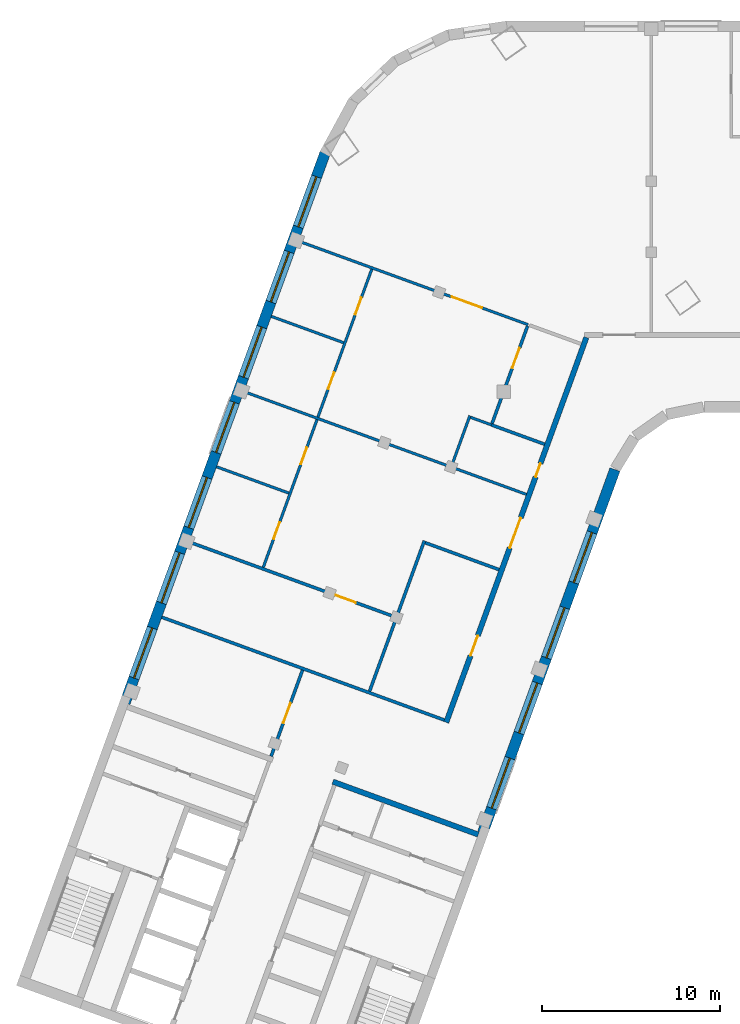
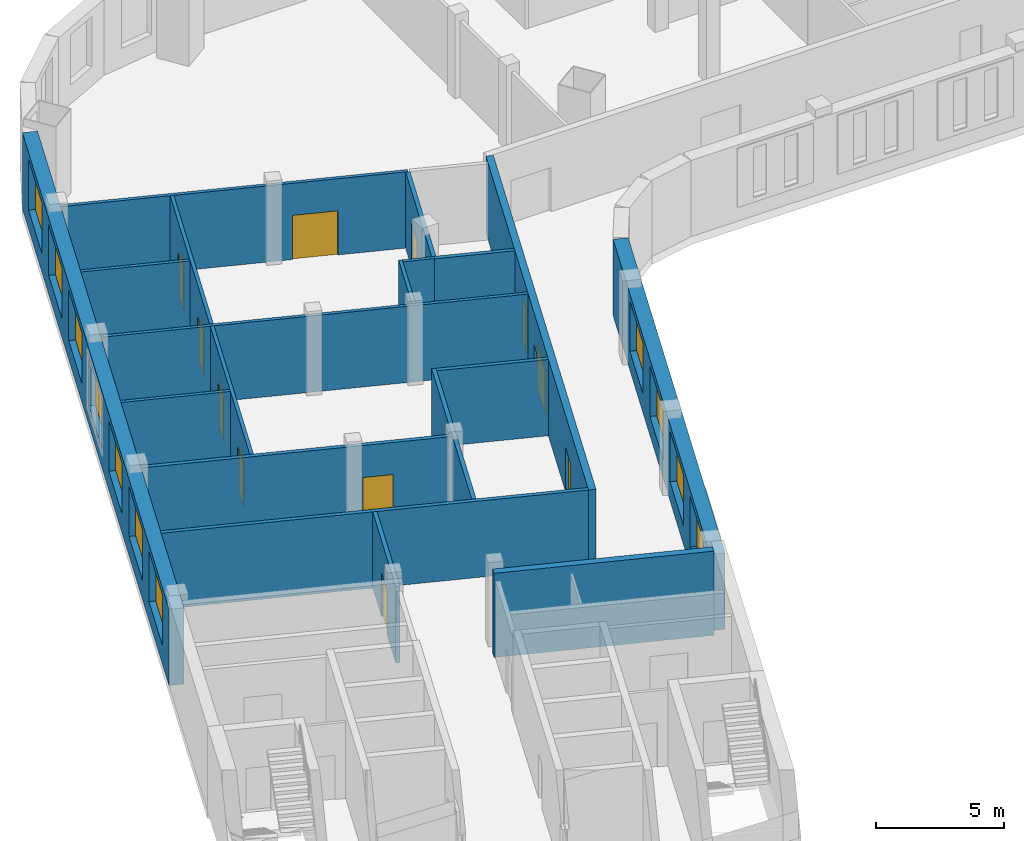
# One storey, part 3 of 8: 18 walls, 11 doors, 11 windows, 22 openings.
"""IFC4 building model written with IfcOpenShell, lengths in metres."""

from ifc_helpers import new_model, si_unit, direction, frame, frame_2d, origin, place, context, subcontext, project, spatial, rectangle, extrude, material, layer, layer_set, type_object, element, fill, save


model = new_model("IFC4")

# Units and contexts
model_context = context("Model", 3, precision=1e-05, world=origin(), true_north=direction((0.0, 1.0)))
body_context = subcontext(model_context, "Body", "Model", "MODEL_VIEW")
ifc_project = project(units=[si_unit("LENGTHUNIT", "METRE"), si_unit("AREAUNIT", "SQUARE_METRE"), si_unit("VOLUMEUNIT", "CUBIC_METRE"), si_unit("PLANEANGLEUNIT", "RADIAN"), si_unit("MASSUNIT", "GRAM", prefix="KILO")], contexts=[model_context])

# Site, building, storey
site_placement = place(None, origin())
site = spatial("IfcSite", under=ifc_project, at=site_placement, CompositionType="ELEMENT")
building_placement = place(site_placement, origin())
building = spatial("IfcBuilding", under=site, at=building_placement, Name="Skarvind Civic Tower", CompositionType="ELEMENT")
storey_placement = place(building_placement, frame((0.0, 0.0, 196.0)))
storey = spatial("IfcBuildingStorey", under=building, at=storey_placement, Name="L46", CompositionType="ELEMENT", Elevation=196.0)

# Wall
ifc_material_1 = material(Name="Acoustic gypsum board on steel studs", Category="steel")
ifc_layer_1 = layer(ifc_material_1, 0.175048828125)
ifc_layer_set_1 = layer_set([ifc_layer_1], Name="ACOUSTIC MEETING-ROOM PARTITION 175")
wall_type_1 = type_object("IfcWallType", Name="ACOUSTIC MEETING-ROOM PARTITION 175", PredefinedType="PARTITIONING", material=ifc_layer_set_1)
wall_1_placement = place(storey_placement, frame((26.736083984375, 105.47998046875, 0.0), z_axis=(0.0, 0.0, 1.0), x_axis=(0.939695108427, -0.342013308511, 0.0)))
element("IfcWall", 1, at=wall_1_placement, inside=storey, type_object=wall_type_1, Name="Partition 46.001", PredefinedType="PARTITIONING", context=body_context, shape_type="SweptSolid", body=[
    extrude(rectangle(XDim=16.89990234375, YDim=0.175048828125, at=frame_2d((8.449951171875, 0.0))), origin(), (0.0, 0.0, 1.0), 3.625),
])

# Wall, opening, door
wall_2_placement = place(storey_placement, frame((32.881103515625, 97.656982421875, 0.0), z_axis=(0.0, 0.0, 1.0), x_axis=(0.342058204353, 0.939678766832, 0.0)))
wall_2 = element("IfcWall", 2, at=wall_2_placement, inside=storey, type_object=wall_type_1, Name="Partition 46.007", PredefinedType="PARTITIONING", context=body_context, shape_type="SweptSolid", body=[
    extrude(rectangle(XDim=5.16259765625, YDim=0.175048828125, at=frame_2d((2.581298828125, 0.0))), origin(), (0.0, 0.0, 1.0), 3.625),
])
opening_1_placement = place(wall_2_placement, frame((1.9912109375, 0.0, 0.0)))
opening_1 = element("IfcOpeningElement", 3, at=opening_1_placement, cuts=wall_2, Name="Opening L46-D012", PredefinedType="OPENING", context=body_context, shape_type="SweptSolid", body=[
    extrude(rectangle(XDim=1.199951171875, YDim=2.10009765625, at=frame_2d((0.60009765625, 1.050048828125))), frame((0.0, 0.097412109375, 0.0), z_axis=(0.0, -1.0, 0.0), x_axis=(1.0, 0.0, 0.0)), (0.0, 0.0, 1.0), 0.195068359375),
])
ifc_material_2 = material(Name="Timber door leaf", Category="wood")
door_type_1 = type_object("IfcDoorType", Name="DOOR 1200X2100 DOUBLE TIMBER", OperationType="NOTDEFINED", PredefinedType="DOOR", material=ifc_material_2)
door_1_placement = place(opening_1_placement, origin())
door_1 = element("IfcDoor", 4, at=door_1_placement, inside=storey, type_object=door_type_1, Name="Door L46-D012", OperationType="DOUBLE_DOOR_SINGLE_SWING", OverallHeight=2.10009765625, OverallWidth=1.199951171875, PredefinedType="DOOR", context=body_context, shape_type="SweptSolid", body=[
    extrude(rectangle(XDim=1.199951171875, YDim=2.10009765625, at=frame_2d((0.60009765625, 1.050048828125))), frame((0.0, 0.02490234375, 0.0), z_axis=(0.0, -1.0, 0.0), x_axis=(1.0, 0.0, 0.0)), (0.0, 0.0, 1.0), 0.050048828125),
])
fill(opening_1, door_1)

# Wall
wall_3_placement = place(storey_placement, frame((38.41796875, 101.321044921875, 0.0), z_axis=(0.0, 0.0, 1.0), x_axis=(0.342082778631, 0.939669821035, 0.0)))
element("IfcWall", 5, at=wall_3_placement, inside=storey, type_object=wall_type_1, Name="Partition 46.009", PredefinedType="PARTITIONING", context=body_context, shape_type="SweptSolid", body=[
    extrude(rectangle(XDim=9.0009765625, YDim=0.175048828125, at=frame_2d((4.50048828125, 0.0))), origin(), (0.0, 0.0, 1.0), 3.625),
])

# Wall, opening, door
wall_4_placement = place(storey_placement, frame((28.27490234375, 109.708984375, 0.0), z_axis=(0.0, 0.0, 1.0), x_axis=(0.939707717516, -0.341978662553, 0.0)))
wall_4 = element("IfcWall", 6, at=wall_4_placement, inside=storey, type_object=wall_type_1, Name="Partition 46.010", PredefinedType="PARTITIONING", context=body_context, shape_type="SweptSolid", body=[
    extrude(rectangle(XDim=12.3134765625, YDim=0.175048828125, at=frame_2d((6.15673828125, 0.0))), origin(), (0.0, 0.0, 1.0), 3.625),
])
opening_2_placement = place(wall_4_placement, frame((8.765380859375, 0.0, 0.0)))
opening_2 = element("IfcOpeningElement", 7, at=opening_2_placement, cuts=wall_4, Name="Opening L46-D022", PredefinedType="OPENING", context=body_context, shape_type="SweptSolid", body=[
    extrude(rectangle(XDim=1.199951171875, YDim=2.10009765625, at=frame_2d((0.60009765625, 1.050048828125))), frame((0.0, 0.097412109375, 0.0), z_axis=(0.0, -1.0, 0.0), x_axis=(1.0, 0.0, 0.0)), (0.0, 0.0, 1.0), 0.195068359375),
])
door_2_placement = place(opening_2_placement, origin())
door_2 = element("IfcDoor", 8, at=door_2_placement, inside=storey, type_object=door_type_1, Name="Door L46-D022", OperationType="DOUBLE_DOOR_SINGLE_SWING", OverallHeight=2.10009765625, OverallWidth=1.199951171875, PredefinedType="DOOR", context=body_context, shape_type="SweptSolid", body=[
    extrude(rectangle(XDim=1.199951171875, YDim=2.10009765625, at=frame_2d((0.60009765625, 1.050048828125))), frame((0.0, 0.02490234375, 0.0), z_axis=(0.0, -1.0, 0.0), x_axis=(1.0, 0.0, 0.0)), (0.0, 0.0, 1.0), 0.050048828125),
])
fill(opening_2, door_2)

# Walls
wall_5_placement = place(storey_placement, frame((45.27490234375, 116.2919921875, 0.0), z_axis=(0.0, 0.0, 1.0), x_axis=(0.939649736865, -0.342137942956, 0.0)))
element("IfcWall", 9, at=wall_5_placement, inside=storey, type_object=wall_type_1, Name="Partition 46.015", PredefinedType="PARTITIONING", context=body_context, shape_type="SweptSolid", body=[
    extrude(rectangle(XDim=3.1767578125, YDim=0.175048828125, at=frame_2d((1.58837890625, 0.0))), origin(), (0.0, 0.0, 1.0), 3.625),
])
wall_6_placement = place(storey_placement, frame((45.695068359375, 108.156982421875, 0.0), z_axis=(0.0, 0.0, 1.0), x_axis=(-0.939620446327, 0.342218375959, 0.0)))
element("IfcWall", 10, at=wall_6_placement, inside=storey, type_object=wall_type_1, Name="Partition 46.016", PredefinedType="PARTITIONING", context=body_context, shape_type="SweptSolid", body=[
    extrude(rectangle(XDim=4.412353515625, YDim=0.175048828125, at=frame_2d((2.2060546875, 0.0))), origin(), (0.0, 0.0, 1.0), 3.625),
])

# Wall, opening, door
wall_7_placement = place(storey_placement, frame((45.304931640625, 116.3740234375, 0.0), z_axis=(0.0, 0.0, 1.0), x_axis=(0.341998803079, 0.939700387726, 0.0)))
wall_7 = element("IfcWall", 11, at=wall_7_placement, inside=storey, type_object=wall_type_1, Name="Partition 46.017", PredefinedType="PARTITIONING", context=body_context, shape_type="SweptSolid", body=[
    extrude(rectangle(XDim=5.8251953125, YDim=0.175048828125, at=frame_2d((2.91259765625, 0.0))), origin(), (0.0, 0.0, 1.0), 3.625),
])
opening_3_placement = place(wall_7_placement, frame((3.3125, 0.0, 0.0)))
opening_3 = element("IfcOpeningElement", 12, at=opening_3_placement, cuts=wall_7, Name="Opening L46-D023", PredefinedType="OPENING", context=body_context, shape_type="SweptSolid", body=[
    extrude(rectangle(XDim=1.199951171875, YDim=2.10009765625, at=frame_2d((0.60009765625, 1.050048828125))), frame((0.0, 0.097412109375, 0.0), z_axis=(0.0, -1.0, 0.0), x_axis=(1.0, 0.0, 0.0)), (0.0, 0.0, 1.0), 0.195068359375),
])
door_3_placement = place(opening_3_placement, origin())
door_3 = element("IfcDoor", 13, at=door_3_placement, inside=storey, type_object=door_type_1, Name="Door L46-D023", OperationType="DOUBLE_DOOR_SINGLE_SWING", OverallHeight=2.10009765625, OverallWidth=1.199951171875, PredefinedType="DOOR", context=body_context, shape_type="SweptSolid", body=[
    extrude(rectangle(XDim=1.199951171875, YDim=2.10009765625, at=frame_2d((0.60009765625, 1.050048828125))), frame((0.0, 0.02490234375, 0.0), z_axis=(0.0, -1.0, 0.0), x_axis=(1.0, 0.0, 0.0)), (0.0, 0.0, 1.0), 0.050048828125),
])
fill(opening_3, door_3)

# Wall, openings, doors
ifc_material_3 = material(Name="Fire-rated gypsum board on steel studs", Category="steel")
ifc_layer_2 = layer(ifc_material_3, 0.300048828125)
ifc_layer_set_2 = layer_set([ifc_layer_2], Name="CORRIDOR WALL 300")
wall_type_2 = type_object("IfcWallType", Name="CORRIDOR WALL 300", PredefinedType="PARTITIONING", material=ifc_layer_set_2)
wall_8_placement = place(storey_placement, frame((42.72802734375, 99.56689453125, 0.0), z_axis=(0.0, 0.0, 1.0), x_axis=(0.342015412648, 0.939694342598, 0.0)))
wall_8 = element("IfcWall", 14, at=wall_8_placement, inside=storey, type_object=wall_type_2, Name="Partition 46.011", PredefinedType="PARTITIONING", context=body_context, shape_type="SweptSolid", body=[
    extrude(rectangle(XDim=23.031005859375, YDim=0.300048828125, at=frame_2d((11.515625, 0.0))), origin(), (0.0, 0.0, 1.0), 3.625),
])
opening_4_placement = place(wall_8_placement, frame((3.987060546875, 0.0, 0.0)))
opening_4 = element("IfcOpeningElement", 15, at=opening_4_placement, cuts=wall_8, Name="Opening L46-D013", PredefinedType="OPENING", context=body_context, shape_type="SweptSolid", body=[
    extrude(rectangle(XDim=1.199951171875, YDim=2.10009765625, at=frame_2d((0.60009765625, 1.050048828125))), frame((0.0, 0.159912109375, 0.0), z_axis=(0.0, -1.0, 0.0), x_axis=(1.0, 0.0, 0.0)), (0.0, 0.0, 1.0), 0.320068359375),
])
opening_5_placement = place(wall_8_placement, frame((10.43701171875, 0.0, 0.0)))
opening_5 = element("IfcOpeningElement", 16, at=opening_5_placement, cuts=wall_8, Name="Opening L46-D016", PredefinedType="OPENING", context=body_context, shape_type="SweptSolid", body=[
    extrude(rectangle(XDim=1.800048828125, YDim=2.10009765625, at=frame_2d((0.89990234375, 1.050048828125))), frame((0.0, 0.159912109375, 0.0), z_axis=(0.0, -1.0, 0.0), x_axis=(1.0, 0.0, 0.0)), (0.0, 0.0, 1.0), 0.320068359375),
])
opening_6_placement = place(wall_8_placement, frame((14.687255859375, 0.0, 0.0)))
opening_6 = element("IfcOpeningElement", 17, at=opening_6_placement, cuts=wall_8, Name="Opening L46-D017", PredefinedType="OPENING", context=body_context, shape_type="SweptSolid", body=[
    extrude(rectangle(XDim=0.800048828125, YDim=2.10009765625, at=frame_2d((0.39990234375, 1.050048828125))), frame((0.0, 0.159912109375, 0.0), z_axis=(0.0, -1.0, 0.0), x_axis=(1.0, 0.0, 0.0)), (0.0, 0.0, 1.0), 0.320068359375),
])
ifc_material_4 = material(Name="Fire-rated timber door leaf", Category="wood")
door_type_2 = type_object("IfcDoorType", Name="FD4 1800x2100", OperationType="NOTDEFINED", PredefinedType="DOOR", material=ifc_material_4)
door_4_placement = place(opening_5_placement, origin())
door_4 = element("IfcDoor", 18, at=door_4_placement, inside=storey, type_object=door_type_2, Name="Door L46-D016", OperationType="DOUBLE_DOOR_SINGLE_SWING", OverallHeight=2.10009765625, OverallWidth=1.800048828125, PredefinedType="DOOR", context=body_context, shape_type="SweptSolid", body=[
    extrude(rectangle(XDim=1.800048828125, YDim=2.10009765625, at=frame_2d((0.89990234375, 1.050048828125))), frame((0.0, 0.02490234375, 0.0), z_axis=(0.0, -1.0, 0.0), x_axis=(1.0, 0.0, 0.0)), (0.0, 0.0, 1.0), 0.050048828125),
])
fill(opening_5, door_4)
door_type_3 = type_object("IfcDoorType", Name="FD5 800x2100", OperationType="NOTDEFINED", PredefinedType="DOOR", material=ifc_material_4)
door_5_placement = place(opening_6_placement, origin())
door_5 = element("IfcDoor", 19, at=door_5_placement, inside=storey, type_object=door_type_3, Name="Door L46-D017", OperationType="SINGLE_SWING_LEFT", OverallHeight=2.10009765625, OverallWidth=0.800048828125, PredefinedType="DOOR", context=body_context, shape_type="SweptSolid", body=[
    extrude(rectangle(XDim=0.800048828125, YDim=2.10009765625, at=frame_2d((0.39990234375, 1.050048828125))), frame((0.0, 0.02490234375, 0.0), z_axis=(0.0, -1.0, 0.0), x_axis=(1.0, 0.0, 0.0)), (0.0, 0.0, 1.0), 0.050048828125),
])
fill(opening_6, door_5)
door_type_4 = type_object("IfcDoorType", Name="FD6 1200x2100 DOUBLE", OperationType="NOTDEFINED", PredefinedType="DOOR", material=ifc_material_4)
door_6_placement = place(opening_4_placement, origin())
door_6 = element("IfcDoor", 20, at=door_6_placement, inside=storey, type_object=door_type_4, Name="Door L46-D013", OperationType="DOUBLE_DOOR_SINGLE_SWING", OverallHeight=2.10009765625, OverallWidth=1.199951171875, PredefinedType="DOOR", context=body_context, shape_type="SweptSolid", body=[
    extrude(rectangle(XDim=1.199951171875, YDim=2.10009765625, at=frame_2d((0.60009765625, 1.050048828125))), frame((0.0, 0.02490234375, 0.0), z_axis=(0.0, -1.0, 0.0), x_axis=(1.0, 0.0, 0.0)), (0.0, 0.0, 1.0), 0.050048828125),
])
fill(opening_4, door_6)

# Walls
ifc_material_5 = material(Name="Concrete C60", Category="concrete")
ifc_layer_3 = layer(ifc_material_5, 0.300048828125)
ifc_layer_set_3 = layer_set([ifc_layer_3], Name="Core wall 300 C60")
wall_type_3 = type_object("IfcWallType", Name="Core wall 300 C60", PredefinedType="SHEAR", material=ifc_layer_set_3)
wall_9_placement = place(storey_placement, frame((44.52880859375, 93.258056640625, 0.0), z_axis=(0.0, 0.0, 1.0), x_axis=(-0.9396917844, 0.342022441267, 0.0)))
element("IfcWall", 21, at=wall_9_placement, inside=storey, type_object=wall_type_3, Name="Core wall C2 south inner face L46", PredefinedType="SHEAR", context=body_context, shape_type="SweptSolid", body=[
    extrude(rectangle(XDim=8.699951171875, YDim=0.300048828125, at=frame_2d((4.35009765625, 0.0))), origin(), (0.0, 0.0, 1.0), 4.0),
])
ifc_material_6 = material(Name="Plasterboard partition on steel studs", Category="steel")
ifc_layer_4 = layer(ifc_material_6, 0.14990234375)
ifc_layer_set_4 = layer_set([ifc_layer_4], Name="PARTITION 150")
wall_type_4 = type_object("IfcWallType", Name="PARTITION 150", PredefinedType="PARTITIONING", material=ifc_layer_set_4)
wall_10_placement = place(storey_placement, frame((29.81396484375, 113.93798828125, 0.0), z_axis=(0.0, 0.0, 1.0), x_axis=(0.93973078783, -0.341915262023, 0.0)))
element("IfcWall", 22, at=wall_10_placement, inside=storey, type_object=wall_type_4, Name="Partition 46.002", PredefinedType="PARTITIONING", context=body_context, shape_type="SweptSolid", body=[
    extrude(rectangle(XDim=4.32568359375, YDim=0.14990234375, at=frame_2d((2.162841796875, 0.0))), origin(), (0.0, 0.0, 1.0), 3.625),
])
wall_11_placement = place(storey_placement, frame((31.35302734375, 118.166015625, 0.0), z_axis=(0.0, 0.0, 1.0), x_axis=(0.939695108427, -0.342013308511, 0.0)))
element("IfcWall", 23, at=wall_11_placement, inside=storey, type_object=wall_type_4, Name="Partition 46.003", PredefinedType="PARTITIONING", context=body_context, shape_type="SweptSolid", body=[
    extrude(rectangle(XDim=16.89990234375, YDim=0.14990234375, at=frame_2d((8.449951171875, 0.0))), origin(), (0.0, 0.0, 1.0), 3.625),
])

# Wall, openings, doors
wall_12_placement = place(storey_placement, frame((38.5400390625, 125.049072265625, 0.0), z_axis=(0.0, 0.0, 1.0), x_axis=(-0.341960632782, -0.939714278719, 0.0)))
wall_12 = element("IfcWall", 24, at=wall_12_placement, inside=storey, type_object=wall_type_4, Name="Partition 46.004", PredefinedType="PARTITIONING", context=body_context, shape_type="SweptSolid", body=[
    extrude(rectangle(XDim=17.838623046875, YDim=0.14990234375, at=frame_2d((8.91943359375, 0.0))), origin(), (0.0, 0.0, 1.0), 3.625),
])
opening_7_placement = place(wall_12_placement, frame((15.14208984375, 0.0, 0.0)))
opening_7 = element("IfcOpeningElement", 25, at=opening_7_placement, cuts=wall_12, Name="Opening L46-D014", PredefinedType="OPENING", context=body_context, shape_type="SweptSolid", body=[
    extrude(rectangle(XDim=1.0, YDim=2.10009765625, at=frame_2d((0.5, 1.050048828125))), frame((0.0, 0.0849609375, 0.0), z_axis=(0.0, -1.0, 0.0), x_axis=(1.0, 0.0, 0.0)), (0.0, 0.0, 1.0), 0.169921875),
])
opening_8_placement = place(wall_12_placement, frame((10.67529296875, 0.0, 0.0)))
opening_8 = element("IfcOpeningElement", 26, at=opening_8_placement, cuts=wall_12, Name="Opening L46-D015", PredefinedType="OPENING", context=body_context, shape_type="SweptSolid", body=[
    extrude(rectangle(XDim=1.0, YDim=2.10009765625, at=frame_2d((0.5, 1.050048828125))), frame((0.0, 0.0849609375, 0.0), z_axis=(0.0, -1.0, 0.0), x_axis=(1.0, 0.0, 0.0)), (0.0, 0.0, 1.0), 0.169921875),
])
opening_9_placement = place(wall_12_placement, frame((6.175537109375, 0.0, 0.0)))
opening_9 = element("IfcOpeningElement", 27, at=opening_9_placement, cuts=wall_12, Name="Opening L46-D018", PredefinedType="OPENING", context=body_context, shape_type="SweptSolid", body=[
    extrude(rectangle(XDim=1.0, YDim=2.10009765625, at=frame_2d((0.5, 1.050048828125))), frame((0.0, 0.0849609375, 0.0), z_axis=(0.0, -1.0, 0.0), x_axis=(1.0, 0.0, 0.0)), (0.0, 0.0, 1.0), 0.169921875),
])
opening_10_placement = place(wall_12_placement, frame((1.70263671875, 0.0, 0.0)))
opening_10 = element("IfcOpeningElement", 28, at=opening_10_placement, cuts=wall_12, Name="Opening L46-D019", PredefinedType="OPENING", context=body_context, shape_type="SweptSolid", body=[
    extrude(rectangle(XDim=1.0, YDim=2.10009765625, at=frame_2d((0.5, 1.050048828125))), frame((0.0, 0.0849609375, 0.0), z_axis=(0.0, -1.0, 0.0), x_axis=(1.0, 0.0, 0.0)), (0.0, 0.0, 1.0), 0.169921875),
])
door_type_5 = type_object("IfcDoorType", Name="D1 1000x2100", OperationType="NOTDEFINED", PredefinedType="DOOR", material=ifc_material_2)
door_7_placement = place(opening_7_placement, origin())
door_7 = element("IfcDoor", 29, at=door_7_placement, inside=storey, type_object=door_type_5, Name="Door L46-D014", OperationType="SINGLE_SWING_LEFT", OverallHeight=2.10009765625, OverallWidth=1.0, PredefinedType="DOOR", context=body_context, shape_type="SweptSolid", body=[
    extrude(rectangle(XDim=1.0, YDim=2.10009765625, at=frame_2d((0.5, 1.050048828125))), frame((0.0, 0.02490234375, 0.0), z_axis=(0.0, -1.0, 0.0), x_axis=(1.0, 0.0, 0.0)), (0.0, 0.0, 1.0), 0.050048828125),
])
fill(opening_7, door_7)
door_8_placement = place(opening_8_placement, origin())
door_8 = element("IfcDoor", 30, at=door_8_placement, inside=storey, type_object=door_type_5, Name="Door L46-D015", OperationType="SINGLE_SWING_LEFT", OverallHeight=2.10009765625, OverallWidth=1.0, PredefinedType="DOOR", context=body_context, shape_type="SweptSolid", body=[
    extrude(rectangle(XDim=1.0, YDim=2.10009765625, at=frame_2d((0.5, 1.050048828125))), frame((0.0, 0.02490234375, 0.0), z_axis=(0.0, -1.0, 0.0), x_axis=(1.0, 0.0, 0.0)), (0.0, 0.0, 1.0), 0.050048828125),
])
fill(opening_8, door_8)
door_9_placement = place(opening_9_placement, origin())
door_9 = element("IfcDoor", 31, at=door_9_placement, inside=storey, type_object=door_type_5, Name="Door L46-D018", OperationType="SINGLE_SWING_LEFT", OverallHeight=2.10009765625, OverallWidth=1.0, PredefinedType="DOOR", context=body_context, shape_type="SweptSolid", body=[
    extrude(rectangle(XDim=1.0, YDim=2.10009765625, at=frame_2d((0.5, 1.050048828125))), frame((0.0, 0.02490234375, 0.0), z_axis=(0.0, -1.0, 0.0), x_axis=(1.0, 0.0, 0.0)), (0.0, 0.0, 1.0), 0.050048828125),
])
fill(opening_9, door_9)
door_10_placement = place(opening_10_placement, origin())
door_10 = element("IfcDoor", 32, at=door_10_placement, inside=storey, type_object=door_type_5, Name="Door L46-D019", OperationType="SINGLE_SWING_LEFT", OverallHeight=2.10009765625, OverallWidth=1.0, PredefinedType="DOOR", context=body_context, shape_type="SweptSolid", body=[
    extrude(rectangle(XDim=1.0, YDim=2.10009765625, at=frame_2d((0.5, 1.050048828125))), frame((0.0, 0.02490234375, 0.0), z_axis=(0.0, -1.0, 0.0), x_axis=(1.0, 0.0, 0.0)), (0.0, 0.0, 1.0), 0.050048828125),
])
fill(opening_10, door_10)

# Wall
wall_13_placement = place(storey_placement, frame((32.89208984375, 122.39501953125, 0.0), z_axis=(0.0, 0.0, 1.0), x_axis=(0.93973078783, -0.341915262023, 0.0)))
element("IfcWall", 33, at=wall_13_placement, inside=storey, type_object=wall_type_4, Name="Partition 46.005", PredefinedType="PARTITIONING", context=body_context, shape_type="SweptSolid", body=[
    extrude(rectangle(XDim=4.32568359375, YDim=0.14990234375, at=frame_2d((2.162841796875, 0.0))), origin(), (0.0, 0.0, 1.0), 3.625),
])

# Wall, opening, door
wall_14_placement = place(storey_placement, frame((34.430908203125, 126.6240234375, 0.0), z_axis=(0.0, 0.0, 1.0), x_axis=(0.939689004313, -0.34203007934, 0.0)))
wall_14 = element("IfcWall", 34, at=wall_14_placement, inside=storey, type_object=wall_type_4, Name="Partition 46.006", PredefinedType="PARTITIONING", context=body_context, shape_type="SweptSolid", body=[
    extrude(rectangle(XDim=13.72705078125, YDim=0.14990234375, at=frame_2d((6.863525390625, 0.0))), origin(), (0.0, 0.0, 1.0), 3.625),
])
opening_11_placement = place(wall_14_placement, frame((9.162109375, 0.0, 0.0)))
opening_11 = element("IfcOpeningElement", 35, at=opening_11_placement, cuts=wall_14, Name="Opening L46-D020", PredefinedType="OPENING", context=body_context, shape_type="SweptSolid", body=[
    extrude(rectangle(XDim=1.800048828125, YDim=2.10009765625, at=frame_2d((0.89990234375, 1.050048828125))), frame((0.0, 0.0849609375, 0.0), z_axis=(0.0, -1.0, 0.0), x_axis=(1.0, 0.0, 0.0)), (0.0, 0.0, 1.0), 0.169921875),
])
door_type_6 = type_object("IfcDoorType", Name="D4 1800x2100", OperationType="NOTDEFINED", PredefinedType="DOOR", material=ifc_material_2)
door_11_placement = place(opening_11_placement, origin())
door_11 = element("IfcDoor", 36, at=door_11_placement, inside=storey, type_object=door_type_6, Name="Door L46-D020", OperationType="DOUBLE_DOOR_SINGLE_SWING", OverallHeight=2.10009765625, OverallWidth=1.800048828125, PredefinedType="DOOR", context=body_context, shape_type="SweptSolid", body=[
    extrude(rectangle(XDim=1.800048828125, YDim=2.10009765625, at=frame_2d((0.89990234375, 1.050048828125))), frame((0.0, 0.02490234375, 0.0), z_axis=(0.0, -1.0, 0.0), x_axis=(1.0, 0.0, 0.0)), (0.0, 0.0, 1.0), 0.050048828125),
])
fill(opening_11, door_11)

# Walls
wall_15_placement = place(storey_placement, frame((44.05810546875, 116.81396484375, 0.0), z_axis=(0.0, 0.0, 1.0), x_axis=(-0.342063238742, -0.939676934218, 0.0)))
element("IfcWall", 37, at=wall_15_placement, inside=storey, type_object=wall_type_4, Name="Partition 46.013", PredefinedType="PARTITIONING", context=body_context, shape_type="SweptSolid", body=[
    extrude(rectangle(XDim=2.999755859375, YDim=0.14990234375, at=frame_2d((1.5, 0.0))), origin(), (0.0, 0.0, 1.0), 3.625),
])
wall_16_placement = place(storey_placement, frame((45.27490234375, 116.2919921875, 0.0), z_axis=(0.0, 0.0, 1.0), x_axis=(-0.93991332754, 0.341413146661, 0.0)))
element("IfcWall", 38, at=wall_16_placement, inside=storey, type_object=wall_type_4, Name="Partition 46.014", PredefinedType="PARTITIONING", context=body_context, shape_type="SweptSolid", body=[
    extrude(rectangle(XDim=1.247802734375, YDim=0.14990234375, at=frame_2d((0.6240234375, 0.0))), origin(), (0.0, 0.0, 1.0), 3.625),
])

# Wall, openings, windows
ifc_material_7 = material(Name="Limestone masonry cladding on insulated backing", Category="masonry")
ifc_layer_5 = layer(ifc_material_7, 0.60009765625)
ifc_layer_set_5 = layer_set([ifc_layer_5], Name="WX1 STONE FACADE WALL 600")
wall_type_5 = type_object("IfcWallType", Name="WX1 STONE FACADE WALL 600", PredefinedType="SOLIDWALL", material=ifc_layer_set_5)
wall_17_placement = place(storey_placement, frame((52.212158203125, 113.78271484375, 0.0), z_axis=(0.0, 0.0, 1.0), x_axis=(-0.34202521188, -0.939690775968, 0.0)))
wall_17 = element("IfcWall", 39, at=wall_17_placement, inside=storey, type_object=wall_type_5, Name="STONE FACADE WALL", PredefinedType="SOLIDWALL", context=body_context, shape_type="SweptSolid", body=[
    extrude(rectangle(XDim=21.744873046875, YDim=0.60009765625, at=frame_2d((10.87255859375, 0.0))), origin(), (0.0, 0.0, 1.0), 3.625),
])
opening_12_placement = place(wall_17_placement, frame((3.764892578125, 0.0, 0.89990234375)))
opening_12 = element("IfcOpeningElement", 40, at=opening_12_placement, cuts=wall_17, Name="Opening WN1", PredefinedType="OPENING", context=body_context, shape_type="SweptSolid", body=[
    extrude(rectangle(XDim=3.0, YDim=2.39990234375, at=frame_2d((1.5, 1.199951171875))), frame((0.0, 0.31005859375, 0.0), z_axis=(0.0, -1.0, 0.0), x_axis=(1.0, 0.0, 0.0)), (0.0, 0.0, 1.0), 0.6201171875),
])
opening_13_placement = place(wall_17_placement, frame((8.264892578125, 0.0, 0.89990234375)))
opening_13 = element("IfcOpeningElement", 41, at=opening_13_placement, cuts=wall_17, Name="Opening WN1", PredefinedType="OPENING", context=body_context, shape_type="SweptSolid", body=[
    extrude(rectangle(XDim=3.0, YDim=2.39990234375, at=frame_2d((1.5, 1.199951171875))), frame((0.0, 0.31005859375, 0.0), z_axis=(0.0, -1.0, 0.0), x_axis=(1.0, 0.0, 0.0)), (0.0, 0.0, 1.0), 0.6201171875),
])
opening_14_placement = place(wall_17_placement, frame((12.764892578125, 0.0, 0.89990234375)))
opening_14 = element("IfcOpeningElement", 42, at=opening_14_placement, cuts=wall_17, Name="Opening WN1", PredefinedType="OPENING", context=body_context, shape_type="SweptSolid", body=[
    extrude(rectangle(XDim=3.0, YDim=2.39990234375, at=frame_2d((1.5, 1.199951171875))), frame((0.0, 0.31005859375, 0.0), z_axis=(0.0, -1.0, 0.0), x_axis=(1.0, 0.0, 0.0)), (0.0, 0.0, 1.0), 0.6201171875),
])
opening_15_placement = place(wall_17_placement, frame((17.264892578125, 0.0, 0.89990234375)))
opening_15 = element("IfcOpeningElement", 43, at=opening_15_placement, cuts=wall_17, Name="Opening WN1", PredefinedType="OPENING", context=body_context, shape_type="SweptSolid", body=[
    extrude(rectangle(XDim=3.0, YDim=2.39990234375, at=frame_2d((1.5, 1.199951171875))), frame((0.0, 0.31005859375, 0.0), z_axis=(0.0, -1.0, 0.0), x_axis=(1.0, 0.0, 0.0)), (0.0, 0.0, 1.0), 0.6201171875),
])
ifc_material_8 = material(Name="Timber frame, double glazing, timber-lined reveal", Category="wood")
window_type = type_object("IfcWindowType", Name="WN1 PUNCHED STONE WINDOW 3000 x 2400", PartitioningType="SINGLE_PANEL", PredefinedType="WINDOW", material=ifc_material_8)
window_1_placement = place(opening_12_placement, origin())
window_1 = element("IfcWindow", 44, at=window_1_placement, inside=storey, type_object=window_type, Name="WN1 WINDOW", OverallHeight=2.39990234375, OverallWidth=3.0, PartitioningType="SINGLE_PANEL", PredefinedType="WINDOW", context=body_context, shape_type="SweptSolid", body=[
    extrude(rectangle(XDim=3.0, YDim=2.39990234375, at=frame_2d((1.5, 1.199951171875))), frame((0.0, 0.030029296875, 0.0), z_axis=(0.0, -1.0, 0.0), x_axis=(1.0, 0.0, 0.0)), (0.0, 0.0, 1.0), 0.06005859375),
])
fill(opening_12, window_1)
window_2_placement = place(opening_13_placement, origin())
window_2 = element("IfcWindow", 45, at=window_2_placement, inside=storey, type_object=window_type, Name="WN1 WINDOW", OverallHeight=2.39990234375, OverallWidth=3.0, PartitioningType="SINGLE_PANEL", PredefinedType="WINDOW", context=body_context, shape_type="SweptSolid", body=[
    extrude(rectangle(XDim=3.0, YDim=2.39990234375, at=frame_2d((1.5, 1.199951171875))), frame((0.0, 0.030029296875, 0.0), z_axis=(0.0, -1.0, 0.0), x_axis=(1.0, 0.0, 0.0)), (0.0, 0.0, 1.0), 0.06005859375),
])
fill(opening_13, window_2)
window_3_placement = place(opening_14_placement, origin())
window_3 = element("IfcWindow", 46, at=window_3_placement, inside=storey, type_object=window_type, Name="WN1 WINDOW", OverallHeight=2.39990234375, OverallWidth=3.0, PartitioningType="SINGLE_PANEL", PredefinedType="WINDOW", context=body_context, shape_type="SweptSolid", body=[
    extrude(rectangle(XDim=3.0, YDim=2.39990234375, at=frame_2d((1.5, 1.199951171875))), frame((0.0, 0.030029296875, 0.0), z_axis=(0.0, -1.0, 0.0), x_axis=(1.0, 0.0, 0.0)), (0.0, 0.0, 1.0), 0.06005859375),
])
fill(opening_14, window_3)
window_4_placement = place(opening_15_placement, origin())
window_4 = element("IfcWindow", 47, at=window_4_placement, inside=storey, type_object=window_type, Name="WN1 WINDOW", OverallHeight=2.39990234375, OverallWidth=3.0, PartitioningType="SINGLE_PANEL", PredefinedType="WINDOW", context=body_context, shape_type="SweptSolid", body=[
    extrude(rectangle(XDim=3.0, YDim=2.39990234375, at=frame_2d((1.5, 1.199951171875))), frame((0.0, 0.030029296875, 0.0), z_axis=(0.0, -1.0, 0.0), x_axis=(1.0, 0.0, 0.0)), (0.0, 0.0, 1.0), 0.06005859375),
])
fill(opening_15, window_4)

wall_18_placement = place(storey_placement, frame((24.66552734375, 100.668701171875, 0.0), z_axis=(0.0, 0.0, 1.0), x_axis=(0.34201964167, 0.939692803373, 0.0)))
wall_18 = element("IfcWall", 48, at=wall_18_placement, inside=storey, type_object=wall_type_5, Name="STONE FACADE WALL", PredefinedType="SOLIDWALL", context=body_context, shape_type="SweptSolid", body=[
    extrude(rectangle(XDim=32.88427734375, YDim=0.60009765625, at=frame_2d((16.442138671875, 0.0))), origin(), (0.0, 0.0, 1.0), 3.625),
])
opening_16_placement = place(wall_18_placement, frame((1.47998046875, 0.0, 0.89990234375)))
opening_16 = element("IfcOpeningElement", 49, at=opening_16_placement, cuts=wall_18, Name="Opening WN1", PredefinedType="OPENING", context=body_context, shape_type="SweptSolid", body=[
    extrude(rectangle(XDim=3.0, YDim=2.39990234375, at=frame_2d((1.5, 1.199951171875))), frame((0.0, 0.31005859375, 0.0), z_axis=(0.0, -1.0, 0.0), x_axis=(1.0, 0.0, 0.0)), (0.0, 0.0, 1.0), 0.6201171875),
])
opening_17_placement = place(wall_18_placement, frame((5.97998046875, 0.0, 0.89990234375)))
opening_17 = element("IfcOpeningElement", 50, at=opening_17_placement, cuts=wall_18, Name="Opening WN1", PredefinedType="OPENING", context=body_context, shape_type="SweptSolid", body=[
    extrude(rectangle(XDim=3.0, YDim=2.39990234375, at=frame_2d((1.5, 1.199951171875))), frame((0.0, 0.31005859375, 0.0), z_axis=(0.0, -1.0, 0.0), x_axis=(1.0, 0.0, 0.0)), (0.0, 0.0, 1.0), 0.6201171875),
])
opening_18_placement = place(wall_18_placement, frame((10.47998046875, 0.0, 0.89990234375)))
opening_18 = element("IfcOpeningElement", 51, at=opening_18_placement, cuts=wall_18, Name="Opening WN1", PredefinedType="OPENING", context=body_context, shape_type="SweptSolid", body=[
    extrude(rectangle(XDim=3.0, YDim=2.39990234375, at=frame_2d((1.5, 1.199951171875))), frame((0.0, 0.31005859375, 0.0), z_axis=(0.0, -1.0, 0.0), x_axis=(1.0, 0.0, 0.0)), (0.0, 0.0, 1.0), 0.6201171875),
])
opening_19_placement = place(wall_18_placement, frame((14.97998046875, 0.0, 0.89990234375)))
opening_19 = element("IfcOpeningElement", 52, at=opening_19_placement, cuts=wall_18, Name="Opening WN1", PredefinedType="OPENING", context=body_context, shape_type="SweptSolid", body=[
    extrude(rectangle(XDim=3.0, YDim=2.39990234375, at=frame_2d((1.5, 1.199951171875))), frame((0.0, 0.31005859375, 0.0), z_axis=(0.0, -1.0, 0.0), x_axis=(1.0, 0.0, 0.0)), (0.0, 0.0, 1.0), 0.6201171875),
])
opening_20_placement = place(wall_18_placement, frame((19.47998046875, 0.0, 0.89990234375)))
opening_20 = element("IfcOpeningElement", 53, at=opening_20_placement, cuts=wall_18, Name="Opening WN1", PredefinedType="OPENING", context=body_context, shape_type="SweptSolid", body=[
    extrude(rectangle(XDim=3.0, YDim=2.39990234375, at=frame_2d((1.5, 1.199951171875))), frame((0.0, 0.31005859375, 0.0), z_axis=(0.0, -1.0, 0.0), x_axis=(1.0, 0.0, 0.0)), (0.0, 0.0, 1.0), 0.6201171875),
])
opening_21_placement = place(wall_18_placement, frame((23.97998046875, 0.0, 0.89990234375)))
opening_21 = element("IfcOpeningElement", 54, at=opening_21_placement, cuts=wall_18, Name="Opening WN1", PredefinedType="OPENING", context=body_context, shape_type="SweptSolid", body=[
    extrude(rectangle(XDim=3.0, YDim=2.39990234375, at=frame_2d((1.5, 1.199951171875))), frame((0.0, 0.31005859375, 0.0), z_axis=(0.0, -1.0, 0.0), x_axis=(1.0, 0.0, 0.0)), (0.0, 0.0, 1.0), 0.6201171875),
])
opening_22_placement = place(wall_18_placement, frame((28.47998046875, 0.0, 0.89990234375)))
opening_22 = element("IfcOpeningElement", 55, at=opening_22_placement, cuts=wall_18, Name="Opening WN1", PredefinedType="OPENING", context=body_context, shape_type="SweptSolid", body=[
    extrude(rectangle(XDim=3.0, YDim=2.39990234375, at=frame_2d((1.5, 1.199951171875))), frame((0.0, 0.31005859375, 0.0), z_axis=(0.0, -1.0, 0.0), x_axis=(1.0, 0.0, 0.0)), (0.0, 0.0, 1.0), 0.6201171875),
])
window_5_placement = place(opening_16_placement, origin())
window_5 = element("IfcWindow", 56, at=window_5_placement, inside=storey, type_object=window_type, Name="WN1 WINDOW", OverallHeight=2.39990234375, OverallWidth=3.0, PartitioningType="SINGLE_PANEL", PredefinedType="WINDOW", context=body_context, shape_type="SweptSolid", body=[
    extrude(rectangle(XDim=3.0, YDim=2.39990234375, at=frame_2d((1.5, 1.199951171875))), frame((0.0, 0.030029296875, 0.0), z_axis=(0.0, -1.0, 0.0), x_axis=(1.0, 0.0, 0.0)), (0.0, 0.0, 1.0), 0.06005859375),
])
fill(opening_16, window_5)
window_6_placement = place(opening_17_placement, origin())
window_6 = element("IfcWindow", 57, at=window_6_placement, inside=storey, type_object=window_type, Name="WN1 WINDOW", OverallHeight=2.39990234375, OverallWidth=3.0, PartitioningType="SINGLE_PANEL", PredefinedType="WINDOW", context=body_context, shape_type="SweptSolid", body=[
    extrude(rectangle(XDim=3.0, YDim=2.39990234375, at=frame_2d((1.5, 1.199951171875))), frame((0.0, 0.030029296875, 0.0), z_axis=(0.0, -1.0, 0.0), x_axis=(1.0, 0.0, 0.0)), (0.0, 0.0, 1.0), 0.06005859375),
])
fill(opening_17, window_6)
window_7_placement = place(opening_18_placement, origin())
window_7 = element("IfcWindow", 58, at=window_7_placement, inside=storey, type_object=window_type, Name="WN1 WINDOW", OverallHeight=2.39990234375, OverallWidth=3.0, PartitioningType="SINGLE_PANEL", PredefinedType="WINDOW", context=body_context, shape_type="SweptSolid", body=[
    extrude(rectangle(XDim=3.0, YDim=2.39990234375, at=frame_2d((1.5, 1.199951171875))), frame((0.0, 0.030029296875, 0.0), z_axis=(0.0, -1.0, 0.0), x_axis=(1.0, 0.0, 0.0)), (0.0, 0.0, 1.0), 0.06005859375),
])
fill(opening_18, window_7)
window_8_placement = place(opening_19_placement, origin())
window_8 = element("IfcWindow", 59, at=window_8_placement, inside=storey, type_object=window_type, Name="WN1 WINDOW", OverallHeight=2.39990234375, OverallWidth=3.0, PartitioningType="SINGLE_PANEL", PredefinedType="WINDOW", context=body_context, shape_type="SweptSolid", body=[
    extrude(rectangle(XDim=3.0, YDim=2.39990234375, at=frame_2d((1.5, 1.199951171875))), frame((0.0, 0.030029296875, 0.0), z_axis=(0.0, -1.0, 0.0), x_axis=(1.0, 0.0, 0.0)), (0.0, 0.0, 1.0), 0.06005859375),
])
fill(opening_19, window_8)
window_9_placement = place(opening_20_placement, origin())
window_9 = element("IfcWindow", 60, at=window_9_placement, inside=storey, type_object=window_type, Name="WN1 WINDOW", OverallHeight=2.39990234375, OverallWidth=3.0, PartitioningType="SINGLE_PANEL", PredefinedType="WINDOW", context=body_context, shape_type="SweptSolid", body=[
    extrude(rectangle(XDim=3.0, YDim=2.39990234375, at=frame_2d((1.5, 1.199951171875))), frame((0.0, 0.030029296875, 0.0), z_axis=(0.0, -1.0, 0.0), x_axis=(1.0, 0.0, 0.0)), (0.0, 0.0, 1.0), 0.06005859375),
])
fill(opening_20, window_9)
window_10_placement = place(opening_21_placement, origin())
window_10 = element("IfcWindow", 61, at=window_10_placement, inside=storey, type_object=window_type, Name="WN1 WINDOW", OverallHeight=2.39990234375, OverallWidth=3.0, PartitioningType="SINGLE_PANEL", PredefinedType="WINDOW", context=body_context, shape_type="SweptSolid", body=[
    extrude(rectangle(XDim=3.0, YDim=2.39990234375, at=frame_2d((1.5, 1.199951171875))), frame((0.0, 0.030029296875, 0.0), z_axis=(0.0, -1.0, 0.0), x_axis=(1.0, 0.0, 0.0)), (0.0, 0.0, 1.0), 0.06005859375),
])
fill(opening_21, window_10)
window_11_placement = place(opening_22_placement, origin())
window_11 = element("IfcWindow", 62, at=window_11_placement, inside=storey, type_object=window_type, Name="WN1 WINDOW", OverallHeight=2.39990234375, OverallWidth=3.0, PartitioningType="SINGLE_PANEL", PredefinedType="WINDOW", context=body_context, shape_type="SweptSolid", body=[
    extrude(rectangle(XDim=3.0, YDim=2.39990234375, at=frame_2d((1.5, 1.199951171875))), frame((0.0, 0.030029296875, 0.0), z_axis=(0.0, -1.0, 0.0), x_axis=(1.0, 0.0, 0.0)), (0.0, 0.0, 1.0), 0.06005859375),
])
fill(opening_22, window_11)

save(model, "model.ifc")
